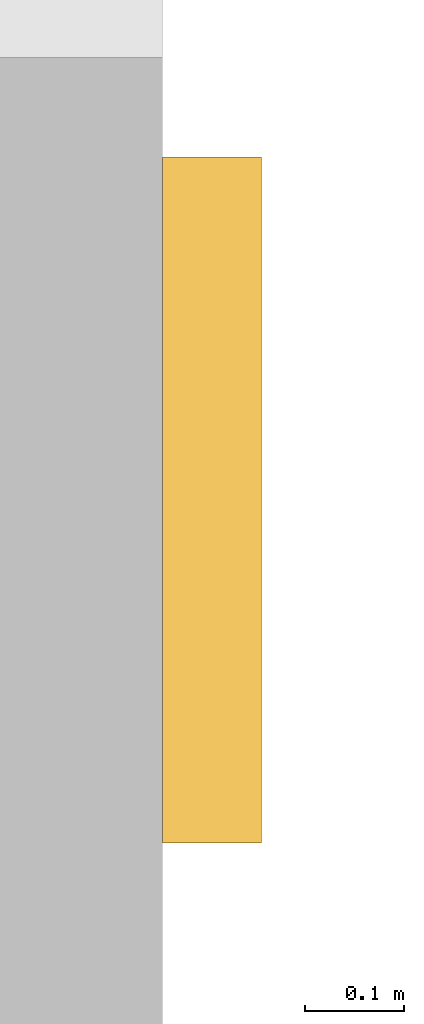
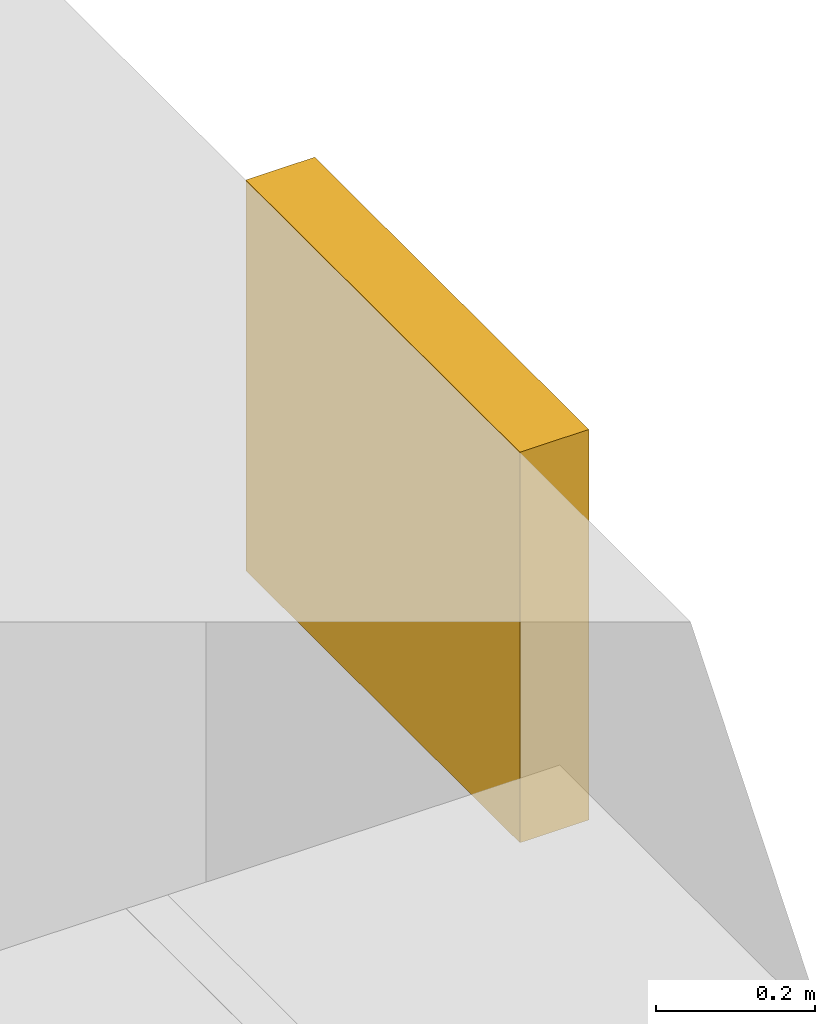
# One storey, part 16 of 17: 1 shading device.
"""IFC4 building model written with IfcOpenShell, lengths in metres."""

from ifc_helpers import new_model, si_unit, direction, frame, origin, origin_2d, place, context, subcontext, project, spatial, rectangle, extrude, material, layer, layer_set, type_object, element, save


model = new_model("IFC4")

# Units and contexts
model_context = context("Model", 3, precision=1e-05, world=origin(), true_north=direction((0.0, 1.0)))
body_context = subcontext(model_context, "Body", "Model", "MODEL_VIEW")
ifc_project = project(units=[si_unit("LENGTHUNIT", "METRE"), si_unit("AREAUNIT", "SQUARE_METRE"), si_unit("VOLUMEUNIT", "CUBIC_METRE"), si_unit("PLANEANGLEUNIT", "RADIAN"), si_unit("MASSUNIT", "GRAM", prefix="KILO")], contexts=[model_context])

# Site, building, storey
site_placement = place(None, origin())
site = spatial("IfcSite", under=ifc_project, at=site_placement, CompositionType="ELEMENT")
building_placement = place(site_placement, origin())
building = spatial("IfcBuilding", under=site, at=building_placement, Name="Vermilion Gate Residences", CompositionType="ELEMENT")
storey_placement = place(building_placement, frame((0.0, 0.0, 112.699951171875)))
storey = spatial("IfcBuildingStorey", under=building, at=storey_placement, Name="L28", CompositionType="ELEMENT", Elevation=112.699951171875)

# Shading device
ifc_material = material(Name="Extruded terracotta", Category="masonry")
ifc_layer = layer(ifc_material, 0.10009765625)
ifc_layer_set = layer_set([ifc_layer], Name="TERRACOTTA SPANDREL BAND 600 X 100")
shading_device_type = type_object("IfcShadingDeviceType", Name="TERRACOTTA SPANDREL BAND 600 X 100", PredefinedType="USERDEFINED", material=ifc_layer_set)
shading_device_placement = place(storey_placement, frame((25.25, 54.7548828125, 2.6201171875), z_axis=(0.0, 0.0, 1.0), x_axis=(0.0, 1.0, 0.0)))
element("IfcShadingDevice", 1, at=shading_device_placement, inside=storey, type_object=shading_device_type, Name="SPANDREL BAND", ObjectType="BAND", PredefinedType="USERDEFINED", context=body_context, shape_type="SweptSolid", body=[
    extrude(rectangle(XDim=0.68994140625, YDim=0.10009765625, at=origin_2d()), origin(), (0.0, 0.0, 1.0), 0.60009765625),
])

save(model, "model.ifc")
